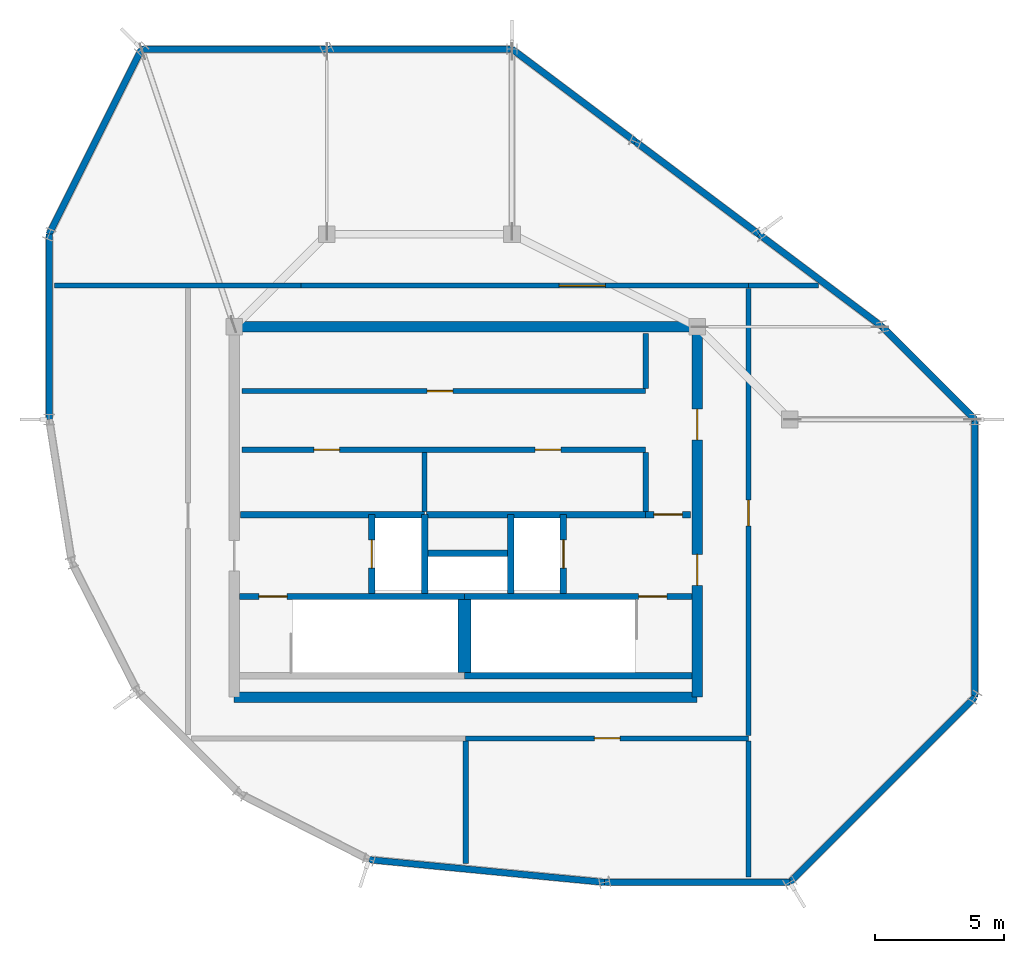
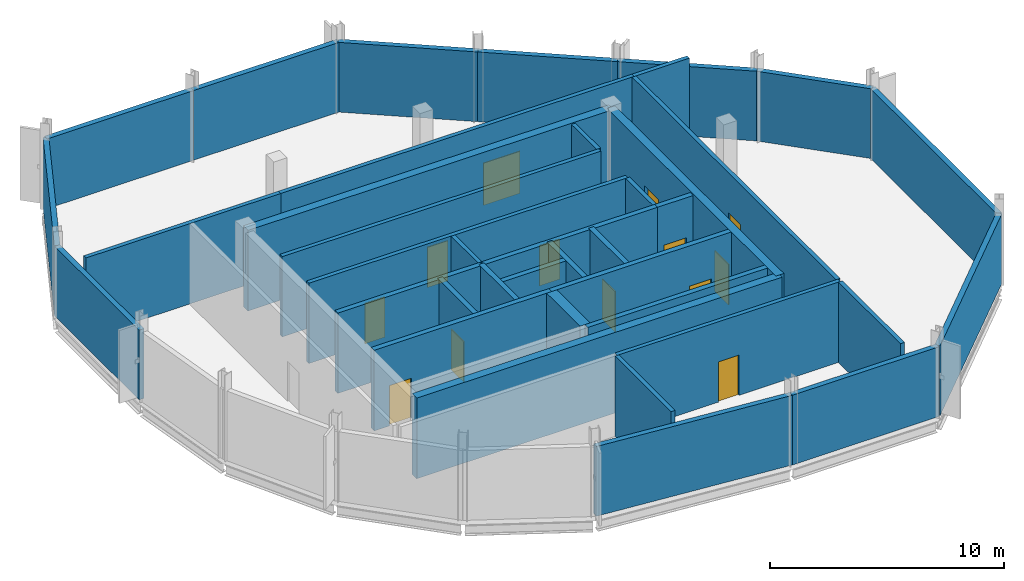
# One storey, part 2 of 4: 39 walls, 13 doors, 13 openings.
"""IFC4 building model written with IfcOpenShell, lengths in metres."""

from ifc_helpers import new_model, si_unit, direction, frame, frame_2d, origin, place, context, subcontext, project, spatial, rectangle, extrude, material, layer, layer_set, type_object, element, fill, save


model = new_model("IFC4")

# Units and contexts
model_context = context("Model", 3, precision=1e-05, world=origin(), true_north=direction((0.0, 1.0)))
body_context = subcontext(model_context, "Body", "Model", "MODEL_VIEW")
ifc_project = project(units=[si_unit("LENGTHUNIT", "METRE"), si_unit("AREAUNIT", "SQUARE_METRE"), si_unit("VOLUMEUNIT", "CUBIC_METRE"), si_unit("PLANEANGLEUNIT", "RADIAN"), si_unit("MASSUNIT", "GRAM", prefix="KILO")], contexts=[model_context])

# Site, building, storey
site_placement = place(None, origin())
site = spatial("IfcSite", under=ifc_project, at=site_placement, CompositionType="ELEMENT")
building_placement = place(site_placement, origin())
building = spatial("IfcBuilding", under=site, at=building_placement, Name="Solnavia Interchange Tower", CompositionType="ELEMENT")
storey_placement = place(building_placement, frame((0.0, 0.0, 322.199951171875)))
storey = spatial("IfcBuildingStorey", under=building, at=storey_placement, Name="C05", CompositionType="ELEMENT", Elevation=322.199951171875)

# Walls
ifc_material_1 = material(Name="Concrete C40/50", Category="concrete")
ifc_layer_1 = layer(ifc_material_1, 0.25)
ifc_layer_set_1 = layer_set([ifc_layer_1], Name="Concrete C40/50")
wall_type_1 = type_object("IfcWallType", Name="Wall-ExtSpandrel-250", PredefinedType="STANDARD", material=ifc_layer_set_1)
wall_1_placement = place(storey_placement, frame((43.199951171875, 21.60009765625, 0.0), z_axis=(0.0, 0.0, 1.0), x_axis=(-0.707106781187, 0.707106781187, 0.0)))
element("IfcWall", 1, at=wall_1_placement, inside=storey, type_object=wall_type_1, Name="EXW-C05-R01 Crown ring facade panel", PredefinedType="STANDARD", context=body_context, shape_type="SweptSolid", body=[
    extrude(rectangle(XDim=5.091064453125, YDim=0.25, at=frame_2d((2.54541015625, 0.0))), origin(), (0.0, 0.0, 1.0), 3.630126953125),
])
for number, where, z_axis, x_axis, name in (
    (2, (39.60009765625, 25.199951171875, 0.0), (0.0, 0.0, 1.0), (-0.79999511724, 0.600006510291, 0.0), "EXW-C05-R02 Crown ring facade panel"),
    (3, (34.800048828125, 28.800048828125, 0.0), (0.0, 0.0, 1.0), (-0.800014648318, 0.599980468412, 0.0), "EXW-C05-R03 Crown ring facade panel"),
    (4, (30.0, 32.39990234375, 0.0), (0.0, 0.0, 1.0), (-0.79999511724, 0.600006510291, 0.0), "EXW-C05-R04 Crown ring facade panel"),
):
    element("IfcWall", number, at=place(storey_placement, frame(where, z_axis=z_axis, x_axis=x_axis)), inside=storey, type_object=wall_type_1, Name=name, PredefinedType="STANDARD", context=body_context, shape_type="SweptSolid", body=[
        extrude(rectangle(XDim=6.0, YDim=0.25, at=frame_2d((3.0, 0.0))), origin(), (0.0, 0.0, 1.0), 3.630126953125),
    ])
for number, where, z_axis, x_axis, name in (
    (5, (25.199951171875, 36.0, 0.0), (0.0, 0.0, 1.0), (-1.0, 0.0, 0.0), "EXW-C05-R05 Crown ring facade panel"),
    (6, (18.0, 36.0, 0.0), (0.0, 0.0, 1.0), (-1.0, 0.0, 0.0), "EXW-C05-R06 Crown ring facade panel"),
):
    element("IfcWall", number, at=place(storey_placement, frame(where, z_axis=z_axis, x_axis=x_axis)), inside=storey, type_object=wall_type_1, Name=name, PredefinedType="STANDARD", context=body_context, shape_type="SweptSolid", body=[
        extrude(rectangle(XDim=7.199951171875, YDim=0.25, at=frame_2d((3.60009765625, 0.0))), origin(), (0.0, 0.0, 1.0), 3.630126953125),
    ])
wall_2_placement = place(storey_placement, frame((10.800048828125, 36.0, 0.0), z_axis=(0.0, 0.0, 1.0), x_axis=(-0.447225726904, -0.894421125195, 0.0)))
element("IfcWall", 7, at=wall_2_placement, inside=storey, type_object=wall_type_1, Name="EXW-C05-R07 Crown ring facade panel", PredefinedType="STANDARD", context=body_context, shape_type="SweptSolid", body=[
    extrude(rectangle(XDim=8.0498046875, YDim=0.25, at=frame_2d((4.02490234375, 0.0))), origin(), (0.0, 0.0, 1.0), 3.630126953125),
])
wall_3_placement = place(storey_placement, frame((7.199951171875, 28.800048828125, 0.0), z_axis=(0.0, 0.0, 1.0), x_axis=(0.0, -1.0, 0.0)))
element("IfcWall", 8, at=wall_3_placement, inside=storey, type_object=wall_type_1, Name="EXW-C05-R08 Crown ring facade panel", PredefinedType="STANDARD", context=body_context, shape_type="SweptSolid", body=[
    extrude(rectangle(XDim=7.199951171875, YDim=0.25, at=frame_2d((3.60009765625, 0.0))), origin(), (0.0, 0.0, 1.0), 3.630126953125),
])
wall_4_placement = place(storey_placement, frame((19.637939453125, 4.48095703125, 0.0), z_axis=(0.0, 0.0, 1.0), x_axis=(0.995410195364, -0.095700276723, 0.0)))
element("IfcWall", 9, at=wall_4_placement, inside=storey, type_object=wall_type_1, Name="EXW-C05-R13 Crown ring facade panel", PredefinedType="STANDARD", context=body_context, shape_type="SweptSolid", body=[
    extrude(rectangle(XDim=9.204345703125, YDim=0.25, at=frame_2d((4.60205078125, 0.0))), origin(), (0.0, 0.0, 1.0), 3.630126953125),
])
wall_5_placement = place(storey_placement, frame((28.800048828125, 3.60009765625, 0.0), z_axis=(0.0, 0.0, 1.0), x_axis=(1.0, 0.0, 0.0)))
element("IfcWall", 10, at=wall_5_placement, inside=storey, type_object=wall_type_1, Name="EXW-C05-R14 Crown ring facade panel", PredefinedType="STANDARD", context=body_context, shape_type="SweptSolid", body=[
    extrude(rectangle(XDim=7.199951171875, YDim=0.25, at=frame_2d((3.60009765625, 0.0))), origin(), (0.0, 0.0, 1.0), 3.630126953125),
])
wall_6_placement = place(storey_placement, frame((36.0, 3.60009765625, 0.0), z_axis=(0.0, 0.0, 1.0), x_axis=(0.707106781187, 0.707106781187, 0.0)))
element("IfcWall", 11, at=wall_6_placement, inside=storey, type_object=wall_type_1, Name="EXW-C05-R15 Crown ring facade panel", PredefinedType="STANDARD", context=body_context, shape_type="SweptSolid", body=[
    extrude(rectangle(XDim=10.182373046875, YDim=0.25, at=frame_2d((5.09130859375, 0.0))), origin(), (0.0, 0.0, 1.0), 3.630126953125),
])
wall_7_placement = place(storey_placement, frame((43.199951171875, 10.800048828125, 0.0), z_axis=(0.0, 0.0, 1.0), x_axis=(0.0, 1.0, 0.0)))
element("IfcWall", 12, at=wall_7_placement, inside=storey, type_object=wall_type_1, Name="EXW-C05-R16 Crown ring facade panel", PredefinedType="STANDARD", context=body_context, shape_type="SweptSolid", body=[
    extrude(rectangle(XDim=10.800048828125, YDim=0.25, at=frame_2d((5.39990234375, 0.0))), origin(), (0.0, 0.0, 1.0), 3.630126953125),
])

# Wall, openings, doors
ifc_layer_2 = layer(ifc_material_1, 0.199951171875)
ifc_layer_set_2 = layer_set([ifc_layer_2], Name="Concrete C40/50")
wall_type_2 = type_object("IfcWallType", Name="Wall-PlantFire-200", PredefinedType="PARTITIONING", material=ifc_layer_set_2)
wall_8_placement = place(storey_placement, frame((14.699951171875, 20.419921875, 0.0), z_axis=(0.0, 0.0, 1.0), x_axis=(1.0, 0.0, 0.0)))
wall_8 = element("IfcWall", 13, at=wall_8_placement, inside=storey, type_object=wall_type_2, Name="CSW-C05-CR1 Core shaft wall", PredefinedType="PARTITIONING", context=body_context, shape_type="SweptSolid", body=[
    extrude(rectangle(XDim=15.699951171875, YDim=0.199951171875, at=frame_2d((7.85009765625, 0.0))), origin(), (0.0, 0.0, 1.0), 4.18505859375),
])
opening_1_placement = place(wall_8_placement, frame((2.800048828125, 0.0, 0.0)))
opening_1 = element("IfcOpeningElement", 14, at=opening_1_placement, cuts=wall_8, Name="Opening DR-04", PredefinedType="OPENING", context=body_context, shape_type="SweptSolid", body=[
    extrude(rectangle(XDim=1.0, YDim=2.10009765625, at=frame_2d((0.5, 1.050048828125))), frame((0.0, 0.10986328125, 0.0), z_axis=(0.0, -1.0, 0.0), x_axis=(1.0, 0.0, 0.0)), (0.0, 0.0, 1.0), 0.219970703125),
])
opening_2_placement = place(wall_8_placement, frame((11.39990234375, 0.0, 0.0)))
opening_2 = element("IfcOpeningElement", 15, at=opening_2_placement, cuts=wall_8, Name="Opening DR-04", PredefinedType="OPENING", context=body_context, shape_type="SweptSolid", body=[
    extrude(rectangle(XDim=1.0, YDim=2.10009765625, at=frame_2d((0.5, 1.050048828125))), frame((0.0, 0.10986328125, 0.0), z_axis=(0.0, -1.0, 0.0), x_axis=(1.0, 0.0, 0.0)), (0.0, 0.0, 1.0), 0.219970703125),
])
ifc_material_2 = material(Name="Steel Fire-Rated Plant Door", Category="steel")
door_type_1 = type_object("IfcDoorType", Name="Door-PlantFire-1000x2100", OperationType="SINGLE_SWING_LEFT", PredefinedType="DOOR", material=ifc_material_2)
door_1_placement = place(opening_1_placement, origin())
door_1 = element("IfcDoor", 16, at=door_1_placement, inside=storey, type_object=door_type_1, Name="DR-C05-CR1 Core fire door", OperationType="SINGLE_SWING_LEFT", OverallHeight=2.10009765625, OverallWidth=1.0, PredefinedType="DOOR", context=body_context, shape_type="SweptSolid", body=[
    extrude(rectangle(XDim=1.0, YDim=2.10009765625, at=frame_2d((0.5, 1.050048828125))), frame((0.0, 0.02490234375, 0.0), z_axis=(0.0, -1.0, 0.0), x_axis=(1.0, 0.0, 0.0)), (0.0, 0.0, 1.0), 0.050048828125),
])
fill(opening_1, door_1)
door_2_placement = place(opening_2_placement, origin())
door_2 = element("IfcDoor", 17, at=door_2_placement, inside=storey, type_object=door_type_1, Name="DR-C05-CR2 Core fire door", OperationType="SINGLE_SWING_RIGHT", OverallHeight=2.10009765625, OverallWidth=1.0, PredefinedType="DOOR", context=body_context, shape_type="SweptSolid", body=[
    extrude(rectangle(XDim=1.0, YDim=2.10009765625, at=frame_2d((0.5, 1.050048828125))), frame((0.0, 0.02490234375, 0.0), z_axis=(0.0, -1.0, 0.0), x_axis=(1.0, 0.0, 0.0)), (0.0, 0.0, 1.0), 0.050048828125),
])
fill(opening_2, door_2)

# Walls
for number, where, z_axis, x_axis, name in (
    (18, (30.39990234375, 18.02001953125, 0.0), (0.0, 0.0, 1.0), (0.0, 1.0, 0.0), "CSW-C05-CR2 Core shaft wall"),
    (19, (21.800048828125, 18.02001953125, 0.0), (0.0, 0.0, 1.0), (0.0, 1.0, 0.0), "CSW-C05-CR3 Core shaft wall"),
):
    element("IfcWall", number, at=place(storey_placement, frame(where, z_axis=z_axis, x_axis=x_axis)), inside=storey, type_object=wall_type_2, Name=name, PredefinedType="PARTITIONING", context=body_context, shape_type="SweptSolid", body=[
        extrude(rectangle(XDim=2.300048828125, YDim=0.199951171875, at=frame_2d((1.14990234375, 0.0))), origin(), (0.0, 0.0, 1.0), 4.18505859375),
    ])

# Wall, opening, door
wall_9_placement = place(storey_placement, frame((14.699951171875, 22.699951171875, 0.0), z_axis=(0.0, 0.0, 1.0), x_axis=(1.0, 0.0, 0.0)))
wall_9 = element("IfcWall", 20, at=wall_9_placement, inside=storey, type_object=wall_type_2, Name="CSW-C05-CR4 Core shaft wall", PredefinedType="PARTITIONING", context=body_context, shape_type="SweptSolid", body=[
    extrude(rectangle(XDim=15.699951171875, YDim=0.199951171875, at=frame_2d((7.85009765625, 0.0))), origin(), (0.0, 0.0, 1.0), 4.18505859375),
])
opening_3_placement = place(wall_9_placement, frame((7.199951171875, 0.0, 0.0)))
opening_3 = element("IfcOpeningElement", 21, at=opening_3_placement, cuts=wall_9, Name="Opening DR-04", PredefinedType="OPENING", context=body_context, shape_type="SweptSolid", body=[
    extrude(rectangle(XDim=1.0, YDim=2.10009765625, at=frame_2d((0.5, 1.050048828125))), frame((0.0, 0.10986328125, 0.0), z_axis=(0.0, -1.0, 0.0), x_axis=(1.0, 0.0, 0.0)), (0.0, 0.0, 1.0), 0.219970703125),
])
door_3_placement = place(opening_3_placement, origin())
door_3 = element("IfcDoor", 22, at=door_3_placement, inside=storey, type_object=door_type_1, Name="DR-C05-CR3 Core fire door", OperationType="SINGLE_SWING_LEFT", OverallHeight=2.10009765625, OverallWidth=1.0, PredefinedType="DOOR", context=body_context, shape_type="SweptSolid", body=[
    extrude(rectangle(XDim=1.0, YDim=2.10009765625, at=frame_2d((0.5, 1.050048828125))), frame((0.0, 0.02490234375, 0.0), z_axis=(0.0, -1.0, 0.0), x_axis=(1.0, 0.0, 0.0)), (0.0, 0.0, 1.0), 0.050048828125),
])
fill(opening_3, door_3)

# Wall
wall_10_placement = place(storey_placement, frame((30.39990234375, 22.800048828125, 0.0), z_axis=(0.0, 0.0, 1.0), x_axis=(0.0, 1.0, 0.0)))
element("IfcWall", 23, at=wall_10_placement, inside=storey, type_object=wall_type_2, Name="CSW-C05-CR5 Core shaft wall", PredefinedType="PARTITIONING", context=body_context, shape_type="SweptSolid", body=[
    extrude(rectangle(XDim=2.14990234375, YDim=0.199951171875, at=frame_2d((1.074951171875, 0.0))), origin(), (0.0, 0.0, 1.0), 4.18505859375),
])

# Wall, opening, door
wall_11_placement = place(storey_placement, frame((17.0, 26.800048828125, 0.0), z_axis=(0.0, 0.0, 1.0), x_axis=(1.0, 0.0, 0.0)))
wall_11 = element("IfcWall", 24, at=wall_11_placement, inside=storey, type_object=wall_type_2, Name="PTW-C05-01 Interior partition wall", PredefinedType="PARTITIONING", context=body_context, shape_type="SweptSolid", body=[
    extrude(rectangle(XDim=17.39990234375, YDim=0.199951171875, at=frame_2d((8.699951171875, 0.0))), origin(), (0.0, 0.0, 1.0), 4.18505859375),
])
opening_4_placement = place(wall_11_placement, frame((10.033935546875, 0.0, 0.0)))
opening_4 = element("IfcOpeningElement", 25, at=opening_4_placement, cuts=wall_11, Name="Opening DR-05", PredefinedType="OPENING", context=body_context, shape_type="SweptSolid", body=[
    extrude(rectangle(XDim=1.800048828125, YDim=2.199951171875, at=frame_2d((0.89990234375, 1.10009765625))), frame((0.0, 0.10986328125, 0.0), z_axis=(0.0, -1.0, 0.0), x_axis=(1.0, 0.0, 0.0)), (0.0, 0.0, 1.0), 0.219970703125),
])
ifc_material_3 = material(Name="Steel Double Fire Door", Category="steel")
door_type_2 = type_object("IfcDoorType", Name="Door-PlantDouble-1800x2200", OperationType="DOUBLE_DOOR_SINGLE_SWING", PredefinedType="DOOR", material=ifc_material_3)
door_4_placement = place(opening_4_placement, origin())
door_4 = element("IfcDoor", 26, at=door_4_placement, inside=storey, type_object=door_type_2, Name="DR-C05-01 Interior room door", OperationType="DOUBLE_DOOR_SINGLE_SWING", OverallHeight=2.199951171875, OverallWidth=1.800048828125, PredefinedType="DOOR", context=body_context, shape_type="SweptSolid", body=[
    extrude(rectangle(XDim=1.800048828125, YDim=2.199951171875, at=frame_2d((0.89990234375, 1.10009765625))), frame((0.0, 0.02490234375, 0.0), z_axis=(0.0, -1.0, 0.0), x_axis=(1.0, 0.0, 0.0)), (0.0, 0.0, 1.0), 0.050048828125),
])
fill(opening_4, door_4)

# Walls
wall_12_placement = place(storey_placement, frame((7.405029296875, 26.800048828125, 0.0), z_axis=(0.0, 0.0, 1.0), x_axis=(1.0, 0.0, 0.0)))
element("IfcWall", 27, at=wall_12_placement, inside=storey, type_object=wall_type_2, Name="PTW-C05-02 Interior partition wall", PredefinedType="PARTITIONING", context=body_context, shape_type="SweptSolid", body=[
    extrude(rectangle(XDim=9.594970703125, YDim=0.199951171875, at=frame_2d((4.79736328125, 0.0))), origin(), (0.0, 0.0, 1.0), 4.18505859375),
])
wall_13_placement = place(storey_placement, frame((34.39990234375, 26.800048828125, 0.0), z_axis=(0.0, 0.0, 1.0), x_axis=(1.0, 0.0, 0.0)))
element("IfcWall", 28, at=wall_13_placement, inside=storey, type_object=wall_type_2, Name="PTW-C05-03 Interior partition wall", PredefinedType="PARTITIONING", context=body_context, shape_type="SweptSolid", body=[
    extrude(rectangle(XDim=2.72509765625, YDim=0.199951171875, at=frame_2d((1.362548828125, 0.0))), origin(), (0.0, 0.0, 1.0), 4.18505859375),
])

# Wall, opening, door
wall_14_placement = place(storey_placement, frame((23.39990234375, 9.199951171875, 0.0), z_axis=(0.0, 0.0, 1.0), x_axis=(1.0, 0.0, 0.0)))
wall_14 = element("IfcWall", 29, at=wall_14_placement, inside=storey, type_object=wall_type_2, Name="PTW-C05-06 Interior partition wall", PredefinedType="PARTITIONING", context=body_context, shape_type="SweptSolid", body=[
    extrude(rectangle(XDim=11.0, YDim=0.199951171875, at=frame_2d((5.5, 0.0))), origin(), (0.0, 0.0, 1.0), 4.18505859375),
])
opening_5_placement = place(wall_14_placement, frame((5.0, 0.0, 0.0)))
opening_5 = element("IfcOpeningElement", 30, at=opening_5_placement, cuts=wall_14, Name="Opening DR-04", PredefinedType="OPENING", context=body_context, shape_type="SweptSolid", body=[
    extrude(rectangle(XDim=1.0, YDim=2.10009765625, at=frame_2d((0.5, 1.050048828125))), frame((0.0, 0.10986328125, 0.0), z_axis=(0.0, -1.0, 0.0), x_axis=(1.0, 0.0, 0.0)), (0.0, 0.0, 1.0), 0.219970703125),
])
door_5_placement = place(opening_5_placement, origin())
door_5 = element("IfcDoor", 31, at=door_5_placement, inside=storey, type_object=door_type_1, Name="DR-C05-03 Interior room door", OperationType="SINGLE_SWING_RIGHT", OverallHeight=2.10009765625, OverallWidth=1.0, PredefinedType="DOOR", context=body_context, shape_type="SweptSolid", body=[
    extrude(rectangle(XDim=1.0, YDim=2.10009765625, at=frame_2d((0.5, 1.050048828125))), frame((0.0, 0.02490234375, 0.0), z_axis=(0.0, -1.0, 0.0), x_axis=(1.0, 0.0, 0.0)), (0.0, 0.0, 1.0), 0.050048828125),
])
fill(opening_5, door_5)

# Walls
wall_15_placement = place(storey_placement, frame((23.39990234375, 4.3251953125, 0.0), z_axis=(0.0, 0.0, 1.0), x_axis=(0.0, 1.0, 0.0)))
element("IfcWall", 32, at=wall_15_placement, inside=storey, type_object=wall_type_2, Name="PTW-C05-07 Interior partition wall", PredefinedType="PARTITIONING", context=body_context, shape_type="SweptSolid", body=[
    extrude(rectangle(XDim=4.770751953125, YDim=0.199951171875, at=frame_2d((2.38525390625, 0.0))), origin(), (0.0, 0.0, 1.0), 4.18505859375),
])
wall_16_placement = place(storey_placement, frame((34.39990234375, 3.804931640625, 0.0), z_axis=(0.0, 0.0, 1.0), x_axis=(0.0, 1.0, 0.0)))
element("IfcWall", 33, at=wall_16_placement, inside=storey, type_object=wall_type_2, Name="PTW-C05-08 Interior partition wall", PredefinedType="PARTITIONING", context=body_context, shape_type="SweptSolid", body=[
    extrude(rectangle(XDim=5.291015625, YDim=0.199951171875, at=frame_2d((2.6455078125, 0.0))), origin(), (0.0, 0.0, 1.0), 4.18505859375),
])

# Wall, opening, door
wall_17_placement = place(storey_placement, frame((34.39990234375, 9.303955078125, 0.0), z_axis=(0.0, 0.0, 1.0), x_axis=(0.0, 1.0, 0.0)))
wall_17 = element("IfcWall", 34, at=wall_17_placement, inside=storey, type_object=wall_type_2, Name="PTW-C05-09 Interior partition wall", PredefinedType="PARTITIONING", context=body_context, shape_type="SweptSolid", body=[
    extrude(rectangle(XDim=17.39208984375, YDim=0.199951171875, at=frame_2d((8.696044921875, 0.0))), origin(), (0.0, 0.0, 1.0), 4.18505859375),
])
opening_6_placement = place(wall_17_placement, frame((8.156005859375, 0.0, 0.0)))
opening_6 = element("IfcOpeningElement", 35, at=opening_6_placement, cuts=wall_17, Name="Opening DR-04", PredefinedType="OPENING", context=body_context, shape_type="SweptSolid", body=[
    extrude(rectangle(XDim=1.0, YDim=2.10009765625, at=frame_2d((0.5, 1.050048828125))), frame((0.0, 0.10986328125, 0.0), z_axis=(0.0, -1.0, 0.0), x_axis=(1.0, 0.0, 0.0)), (0.0, 0.0, 1.0), 0.219970703125),
])
door_6_placement = place(opening_6_placement, origin())
door_6 = element("IfcDoor", 36, at=door_6_placement, inside=storey, type_object=door_type_1, Name="DR-C05-04 Interior room door", OperationType="SINGLE_SWING_RIGHT", OverallHeight=2.10009765625, OverallWidth=1.0, PredefinedType="DOOR", context=body_context, shape_type="SweptSolid", body=[
    extrude(rectangle(XDim=1.0, YDim=2.10009765625, at=frame_2d((0.5, 1.050048828125))), frame((0.0, 0.02490234375, 0.0), z_axis=(0.0, -1.0, 0.0), x_axis=(1.0, 0.0, 0.0)), (0.0, 0.0, 1.0), 0.050048828125),
])
fill(opening_6, door_6)

ifc_layer_3 = layer(ifc_material_1, 0.25)
ifc_layer_set_3 = layer_set([ifc_layer_3], Name="Concrete C40/50")
wall_type_3 = type_object("IfcWallType", Name="Wall-ShaftCore-250", PredefinedType="SHEAR", material=ifc_layer_set_3)
wall_18_placement = place(storey_placement, frame((14.60009765625, 14.715087890625, 0.0), z_axis=(0.0, 0.0, 1.0), x_axis=(1.0, 0.0, 0.0)))
wall_18 = element("IfcWall", 37, at=wall_18_placement, inside=storey, type_object=wall_type_3, Name="SHW-C05-ST1N Core shear wall", PredefinedType="SHEAR", context=body_context, shape_type="SweptSolid", body=[
    extrude(rectangle(XDim=8.75, YDim=0.25, at=frame_2d((4.375, 0.0))), origin(), (0.0, 0.0, 1.0), 4.199951171875),
])
opening_7_placement = place(wall_18_placement, frame((0.7548828125, 0.0, 0.0)))
opening_7 = element("IfcOpeningElement", 38, at=opening_7_placement, cuts=wall_18, Name="Opening DR-01", PredefinedType="OPENING", context=body_context, shape_type="SweptSolid", body=[
    extrude(rectangle(XDim=1.10009765625, YDim=2.10009765625, at=frame_2d((0.550048828125, 1.050048828125))), frame((0.0, 0.135009765625, 0.0), z_axis=(0.0, -1.0, 0.0), x_axis=(1.0, 0.0, 0.0)), (0.0, 0.0, 1.0), 0.27001953125),
])
ifc_material_4 = material(Name="Steel Fire-Rated Leaf & Frame", Category="steel")
door_type_3 = type_object("IfcDoorType", Name="Door-StairFire-1100x2100", OperationType="SINGLE_SWING_LEFT", PredefinedType="DOOR", material=ifc_material_4)
door_7_placement = place(opening_7_placement, origin())
door_7 = element("IfcDoor", 39, at=door_7_placement, inside=storey, type_object=door_type_3, Name="DR-C05-ST1 Core fire door", OperationType="SINGLE_SWING_LEFT", OverallHeight=2.10009765625, OverallWidth=1.10009765625, PredefinedType="DOOR", context=body_context, shape_type="SweptSolid", body=[
    extrude(rectangle(XDim=1.10009765625, YDim=2.10009765625, at=frame_2d((0.550048828125, 1.050048828125))), frame((0.0, 0.02490234375, 0.0), z_axis=(0.0, -1.0, 0.0), x_axis=(1.0, 0.0, 0.0)), (0.0, 0.0, 1.0), 0.050048828125),
])
fill(opening_7, door_7)

# Wall
wall_19_placement = place(storey_placement, frame((23.35009765625, 11.625, 0.0), z_axis=(0.0, 0.0, 1.0), x_axis=(1.0, 0.0, 0.0)))
element("IfcWall", 40, at=wall_19_placement, inside=storey, type_object=wall_type_3, Name="SHW-C05-ST2S Core shear wall", PredefinedType="SHEAR", context=body_context, shape_type="SweptSolid", body=[
    extrude(rectangle(XDim=8.849853515625, YDim=0.25, at=frame_2d((4.4248046875, 0.0))), origin(), (0.0, 0.0, 1.0), 4.199951171875),
])

# Wall, opening, door
wall_20_placement = place(storey_placement, frame((23.35009765625, 14.715087890625, 0.0), z_axis=(0.0, 0.0, 1.0), x_axis=(1.0, 0.0, 0.0)))
wall_20 = element("IfcWall", 41, at=wall_20_placement, inside=storey, type_object=wall_type_3, Name="SHW-C05-ST2N Core shear wall", PredefinedType="SHEAR", context=body_context, shape_type="SweptSolid", body=[
    extrude(rectangle(XDim=8.849853515625, YDim=0.25, at=frame_2d((4.4248046875, 0.0))), origin(), (0.0, 0.0, 1.0), 4.199951171875),
])
opening_8_placement = place(wall_20_placement, frame((6.77490234375, 0.0, 0.0)))
opening_8 = element("IfcOpeningElement", 42, at=opening_8_placement, cuts=wall_20, Name="Opening DR-01", PredefinedType="OPENING", context=body_context, shape_type="SweptSolid", body=[
    extrude(rectangle(XDim=1.10009765625, YDim=2.10009765625, at=frame_2d((0.550048828125, 1.050048828125))), frame((0.0, 0.135009765625, 0.0), z_axis=(0.0, -1.0, 0.0), x_axis=(1.0, 0.0, 0.0)), (0.0, 0.0, 1.0), 0.27001953125),
])
door_8_placement = place(opening_8_placement, origin())
door_8 = element("IfcDoor", 43, at=door_8_placement, inside=storey, type_object=door_type_3, Name="DR-C05-ST2 Core fire door", OperationType="SINGLE_SWING_LEFT", OverallHeight=2.10009765625, OverallWidth=1.10009765625, PredefinedType="DOOR", context=body_context, shape_type="SweptSolid", body=[
    extrude(rectangle(XDim=1.10009765625, YDim=2.10009765625, at=frame_2d((0.550048828125, 1.050048828125))), frame((0.0, 0.02490234375, 0.0), z_axis=(0.0, -1.0, 0.0), x_axis=(1.0, 0.0, 0.0)), (0.0, 0.0, 1.0), 0.050048828125),
])
fill(opening_8, door_8)

# Wall
ifc_layer_4 = layer(ifc_material_1, 0.25)
ifc_layer_set_4 = layer_set([ifc_layer_4], Name="Concrete C40/50")
wall_type_4 = type_object("IfcWallType", Name="Wall-ShaftPart-250", PredefinedType="PARTITIONING", material=ifc_layer_set_4)
wall_21_placement = place(storey_placement, frame((14.64990234375, 17.89990234375, 0.0), z_axis=(0.0, 0.0, 1.0), x_axis=(1.0, 0.0, 0.0)))
element("IfcWall", 44, at=wall_21_placement, inside=storey, type_object=wall_type_4, Name="SHW-C05-FFLW-N Core shaft wall", PredefinedType="PARTITIONING", context=body_context, shape_type="SweptSolid", body=[
    extrude(rectangle(XDim=7.150146484375, YDim=0.25, at=frame_2d((3.5751953125, 0.0))), origin(), (0.0, 0.0, 1.0), 4.18505859375),
])

# Wall, opening, door
wall_22_placement = place(storey_placement, frame((19.75, 14.840087890625, 0.0), z_axis=(0.0, 0.0, 1.0), x_axis=(0.0, 1.0, 0.0)))
wall_22 = element("IfcWall", 45, at=wall_22_placement, inside=storey, type_object=wall_type_4, Name="SHW-C05-FFL1-W Core shaft wall", PredefinedType="PARTITIONING", context=body_context, shape_type="SweptSolid", body=[
    extrude(rectangle(XDim=3.059814453125, YDim=0.25, at=frame_2d((1.52978515625, 0.0))), origin(), (0.0, 0.0, 1.0), 4.18505859375),
])
opening_9_placement = place(wall_22_placement, frame((0.97998046875, 0.0, 0.0)))
opening_9 = element("IfcOpeningElement", 46, at=opening_9_placement, cuts=wall_22, Name="Opening LD-01", PredefinedType="OPENING", context=body_context, shape_type="SweptSolid", body=[
    extrude(rectangle(XDim=1.10009765625, YDim=2.10009765625, at=frame_2d((0.550048828125, 1.050048828125))), frame((0.0, 0.135009765625, 0.0), z_axis=(0.0, -1.0, 0.0), x_axis=(1.0, 0.0, 0.0)), (0.0, 0.0, 1.0), 0.27001953125),
])
ifc_material_5 = material(Name="Brushed Stainless Steel Sliding Door", Category="steel")
door_type_4 = type_object("IfcDoorType", Name="Door-LiftLanding-1100x2100", OperationType="SLIDING_TO_LEFT", PredefinedType="DOOR", material=ifc_material_5)
door_9_placement = place(opening_9_placement, origin())
door_9 = element("IfcDoor", 47, at=door_9_placement, inside=storey, type_object=door_type_4, Name="LD-C05-FFL1 Lift landing sliding door", OperationType="SLIDING_TO_LEFT", OverallHeight=2.10009765625, OverallWidth=1.10009765625, PredefinedType="DOOR", context=body_context, shape_type="SweptSolid", body=[
    extrude(rectangle(XDim=1.10009765625, YDim=2.10009765625, at=frame_2d((0.550048828125, 1.050048828125))), frame((0.0, 0.02490234375, 0.0), z_axis=(0.0, -1.0, 0.0), x_axis=(1.0, 0.0, 0.0)), (0.0, 0.0, 1.0), 0.050048828125),
])
fill(opening_9, door_9)

# Walls
wall_23_placement = place(storey_placement, frame((21.800048828125, 14.840087890625, 0.0), z_axis=(0.0, 0.0, 1.0), x_axis=(0.0, 1.0, 0.0)))
element("IfcWall", 48, at=wall_23_placement, inside=storey, type_object=wall_type_4, Name="SHW-C05-FFL1-E Core shaft wall", PredefinedType="PARTITIONING", context=body_context, shape_type="SweptSolid", body=[
    extrude(rectangle(XDim=3.059814453125, YDim=0.25, at=frame_2d((1.52978515625, 0.0))), origin(), (0.0, 0.0, 1.0), 4.18505859375),
])
wall_24_placement = place(storey_placement, frame((21.8798828125, 17.89990234375, 0.0), z_axis=(0.0, 0.0, 1.0), x_axis=(1.0, 0.0, 0.0)))
element("IfcWall", 49, at=wall_24_placement, inside=storey, type_object=wall_type_4, Name="SHW-C05-FFLE-N1 Core shaft wall", PredefinedType="PARTITIONING", context=body_context, shape_type="SweptSolid", body=[
    extrude(rectangle(XDim=8.52001953125, YDim=0.25, at=frame_2d((4.260009765625, 0.0))), origin(), (0.0, 0.0, 1.0), 4.18505859375),
])

# Wall, opening, door
wall_25_placement = place(storey_placement, frame((30.39990234375, 17.89990234375, 0.0), z_axis=(0.0, 0.0, 1.0), x_axis=(1.0, 0.0, 0.0)))
wall_25 = element("IfcWall", 50, at=wall_25_placement, inside=storey, type_object=wall_type_4, Name="SHW-C05-FFLE-N2 Core shaft wall", PredefinedType="PARTITIONING", context=body_context, shape_type="SweptSolid", body=[
    extrude(rectangle(XDim=1.75, YDim=0.25, at=frame_2d((0.875, 0.0))), origin(), (0.0, 0.0, 1.0), 4.18505859375),
])
opening_10_placement = place(wall_25_placement, frame((0.320068359375, 0.0, 0.0)))
opening_10 = element("IfcOpeningElement", 51, at=opening_10_placement, cuts=wall_25, Name="Opening DR-01", PredefinedType="OPENING", context=body_context, shape_type="SweptSolid", body=[
    extrude(rectangle(XDim=1.10009765625, YDim=2.10009765625, at=frame_2d((0.550048828125, 1.050048828125))), frame((0.0, 0.135009765625, 0.0), z_axis=(0.0, -1.0, 0.0), x_axis=(1.0, 0.0, 0.0)), (0.0, 0.0, 1.0), 0.27001953125),
])
door_10_placement = place(opening_10_placement, origin())
door_10 = element("IfcDoor", 52, at=door_10_placement, inside=storey, type_object=door_type_3, Name="DR-C05-LLC Core fire door", OperationType="SINGLE_SWING_LEFT", OverallHeight=2.10009765625, OverallWidth=1.10009765625, PredefinedType="DOOR", context=body_context, shape_type="SweptSolid", body=[
    extrude(rectangle(XDim=1.10009765625, YDim=2.10009765625, at=frame_2d((0.550048828125, 1.050048828125))), frame((0.0, 0.02490234375, 0.0), z_axis=(0.0, -1.0, 0.0), x_axis=(1.0, 0.0, 0.0)), (0.0, 0.0, 1.0), 0.050048828125),
])
fill(opening_10, door_10)

# Wall
wall_26_placement = place(storey_placement, frame((25.14990234375, 14.840087890625, 0.0), z_axis=(0.0, 0.0, 1.0), x_axis=(0.0, 1.0, 0.0)))
element("IfcWall", 53, at=wall_26_placement, inside=storey, type_object=wall_type_4, Name="SHW-C05-FFL2-W Core shaft wall", PredefinedType="PARTITIONING", context=body_context, shape_type="SweptSolid", body=[
    extrude(rectangle(XDim=3.059814453125, YDim=0.25, at=frame_2d((1.52978515625, 0.0))), origin(), (0.0, 0.0, 1.0), 4.18505859375),
])

# Wall, opening, door
wall_27_placement = place(storey_placement, frame((27.199951171875, 14.840087890625, 0.0), z_axis=(0.0, 0.0, 1.0), x_axis=(0.0, 1.0, 0.0)))
wall_27 = element("IfcWall", 54, at=wall_27_placement, inside=storey, type_object=wall_type_4, Name="SHW-C05-FFL2-E Core shaft wall", PredefinedType="PARTITIONING", context=body_context, shape_type="SweptSolid", body=[
    extrude(rectangle(XDim=3.059814453125, YDim=0.25, at=frame_2d((1.52978515625, 0.0))), origin(), (0.0, 0.0, 1.0), 4.18505859375),
])
opening_11_placement = place(wall_27_placement, frame((0.97998046875, 0.0, 0.0)))
opening_11 = element("IfcOpeningElement", 55, at=opening_11_placement, cuts=wall_27, Name="Opening LD-01", PredefinedType="OPENING", context=body_context, shape_type="SweptSolid", body=[
    extrude(rectangle(XDim=1.10009765625, YDim=2.10009765625, at=frame_2d((0.550048828125, 1.050048828125))), frame((0.0, 0.135009765625, 0.0), z_axis=(0.0, -1.0, 0.0), x_axis=(1.0, 0.0, 0.0)), (0.0, 0.0, 1.0), 0.27001953125),
])
door_11_placement = place(opening_11_placement, origin())
door_11 = element("IfcDoor", 56, at=door_11_placement, inside=storey, type_object=door_type_4, Name="LD-C05-FFL2 Lift landing sliding door", OperationType="SLIDING_TO_LEFT", OverallHeight=2.10009765625, OverallWidth=1.10009765625, PredefinedType="DOOR", context=body_context, shape_type="SweptSolid", body=[
    extrude(rectangle(XDim=1.10009765625, YDim=2.10009765625, at=frame_2d((0.550048828125, 1.050048828125))), frame((0.0, 0.02490234375, 0.0), z_axis=(0.0, -1.0, 0.0), x_axis=(1.0, 0.0, 0.0)), (0.0, 0.0, 1.0), 0.050048828125),
])
fill(opening_11, door_11)

# Walls
wall_28_placement = place(storey_placement, frame((21.800048828125, 16.39990234375, 0.0), z_axis=(0.0, 0.0, 1.0), x_axis=(1.0, 0.0, 0.0)))
element("IfcWall", 57, at=wall_28_placement, inside=storey, type_object=wall_type_4, Name="SHW-C05-MEP-N Core shaft wall", PredefinedType="PARTITIONING", context=body_context, shape_type="SweptSolid", body=[
    extrude(rectangle(XDim=3.349853515625, YDim=0.25, at=frame_2d((1.6748046875, 0.0))), origin(), (0.0, 0.0, 1.0), 4.18505859375),
])
ifc_material_6 = material(Name="Concrete C50/60", Category="concrete")
ifc_layer_5 = layer(ifc_material_6, 0.39990234375)
ifc_layer_set_5 = layer_set([ifc_layer_5], Name="Concrete C50/60")
wall_type_5 = type_object("IfcWallType", Name="Wall-ShearCore-400", PredefinedType="SHEAR", material=ifc_layer_set_5)
for number, where, z_axis, x_axis, name in (
    (58, (14.39990234375, 10.800048828125, 0.0), (0.0, 0.0, 1.0), (1.0, 0.0, 0.0), "CRW-C05-S Core shear wall"),
    (59, (14.39990234375, 25.199951171875, 0.0), (0.0, 0.0, 1.0), (1.0, 0.0, 0.0), "CRW-C05-N Core shear wall"),
):
    element("IfcWall", number, at=place(storey_placement, frame(where, z_axis=z_axis, x_axis=x_axis)), inside=storey, type_object=wall_type_5, Name=name, PredefinedType="SHEAR", context=body_context, shape_type="SweptSolid", body=[
        extrude(rectangle(XDim=18.0, YDim=0.39990234375, at=frame_2d((9.0, 0.0))), origin(), (0.0, 0.0, 1.0), 4.199951171875),
    ])

# Wall, openings, doors
wall_29_placement = place(storey_placement, frame((32.39990234375, 10.800048828125, 0.0), z_axis=(0.0, 0.0, 1.0), x_axis=(0.0, 1.0, 0.0)))
wall_29 = element("IfcWall", 60, at=wall_29_placement, inside=storey, type_object=wall_type_5, Name="CRW-C05-E Core shear wall", PredefinedType="SHEAR", context=body_context, shape_type="SweptSolid", body=[
    extrude(rectangle(XDim=14.39990234375, YDim=0.39990234375, at=frame_2d((7.199951171875, 0.0))), origin(), (0.0, 0.0, 1.0), 4.199951171875),
])
opening_12_placement = place(wall_29_placement, frame((4.35009765625, 0.0, 0.0)))
opening_12 = element("IfcOpeningElement", 61, at=opening_12_placement, cuts=wall_29, Name="Opening DR-02", PredefinedType="OPENING", context=body_context, shape_type="SweptSolid", body=[
    extrude(rectangle(XDim=1.199951171875, YDim=2.10009765625, at=frame_2d((0.60009765625, 1.050048828125))), frame((0.0, 0.2099609375, 0.0), z_axis=(0.0, -1.0, 0.0), x_axis=(1.0, 0.0, 0.0)), (0.0, 0.0, 1.0), 0.419921875),
])
opening_13_placement = place(wall_29_placement, frame((10.0, 0.0, 0.0)))
opening_13 = element("IfcOpeningElement", 62, at=opening_13_placement, cuts=wall_29, Name="Opening DR-02", PredefinedType="OPENING", context=body_context, shape_type="SweptSolid", body=[
    extrude(rectangle(XDim=1.199951171875, YDim=2.10009765625, at=frame_2d((0.60009765625, 1.050048828125))), frame((0.0, 0.2099609375, 0.0), z_axis=(0.0, -1.0, 0.0), x_axis=(1.0, 0.0, 0.0)), (0.0, 0.0, 1.0), 0.419921875),
])
ifc_material_7 = material(Name="Steel Fire-Rated Vision-Panel Door", Category="steel")
door_type_5 = type_object("IfcDoorType", Name="Door-LobbyFire-1200x2100", OperationType="SINGLE_SWING_RIGHT", PredefinedType="DOOR", material=ifc_material_7)
door_12_placement = place(opening_12_placement, origin())
door_12 = element("IfcDoor", 63, at=door_12_placement, inside=storey, type_object=door_type_5, Name="DR-C05-FFL2E Core fire door", OperationType="SINGLE_SWING_LEFT", OverallHeight=2.10009765625, OverallWidth=1.199951171875, PredefinedType="DOOR", context=body_context, shape_type="SweptSolid", body=[
    extrude(rectangle(XDim=1.199951171875, YDim=2.10009765625, at=frame_2d((0.60009765625, 1.050048828125))), frame((0.0, 0.02490234375, 0.0), z_axis=(0.0, -1.0, 0.0), x_axis=(1.0, 0.0, 0.0)), (0.0, 0.0, 1.0), 0.050048828125),
])
fill(opening_12, door_12)
door_13_placement = place(opening_13_placement, origin())
door_13 = element("IfcDoor", 64, at=door_13_placement, inside=storey, type_object=door_type_5, Name="DR-C05-LLE Core fire door", OperationType="SINGLE_SWING_RIGHT", OverallHeight=2.10009765625, OverallWidth=1.199951171875, PredefinedType="DOOR", context=body_context, shape_type="SweptSolid", body=[
    extrude(rectangle(XDim=1.199951171875, YDim=2.10009765625, at=frame_2d((0.60009765625, 1.050048828125))), frame((0.0, 0.02490234375, 0.0), z_axis=(0.0, -1.0, 0.0), x_axis=(1.0, 0.0, 0.0)), (0.0, 0.0, 1.0), 0.050048828125),
])
fill(opening_13, door_13)

# Wall
ifc_material_8 = material(Name="Concrete C60/75", Category="concrete")
ifc_layer_6 = layer(ifc_material_8, 0.5)
ifc_layer_set_6 = layer_set([ifc_layer_6], Name="Concrete C60/75")
wall_type_6 = type_object("IfcWallType", Name="Wall-ShearCore-500", PredefinedType="SHEAR", material=ifc_layer_set_6)
wall_30_placement = place(storey_placement, frame((23.35009765625, 11.75, 0.0), z_axis=(0.0, 0.0, 1.0), x_axis=(0.0, 1.0, 0.0)))
element("IfcWall", 65, at=wall_30_placement, inside=storey, type_object=wall_type_6, Name="SHW-C05-ST12M Core shear wall", PredefinedType="SHEAR", context=body_context, shape_type="SweptSolid", body=[
    extrude(rectangle(XDim=2.840087890625, YDim=0.5, at=frame_2d((1.419921875, 0.0))), origin(), (0.0, 0.0, 1.0), 4.199951171875),
])

save(model, "model.ifc")
